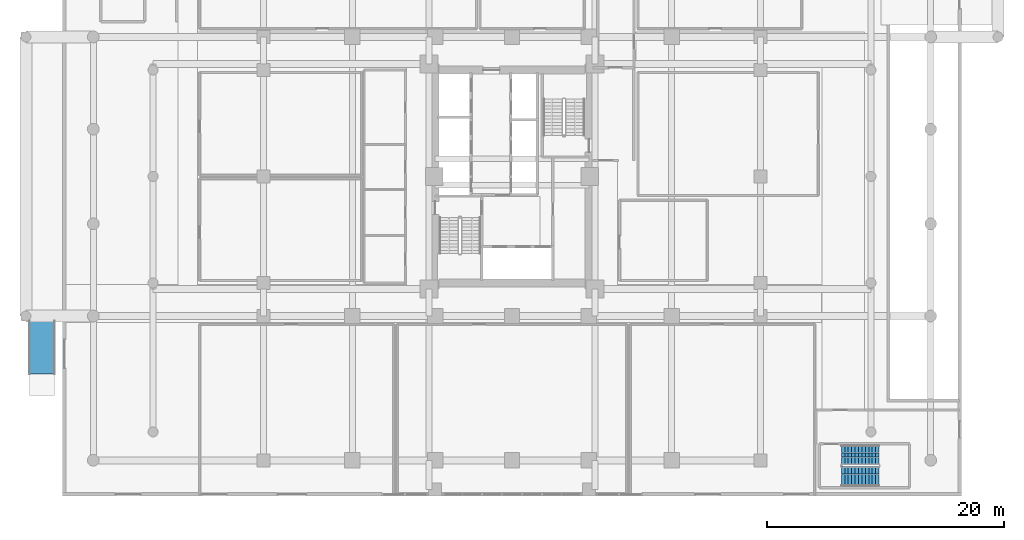
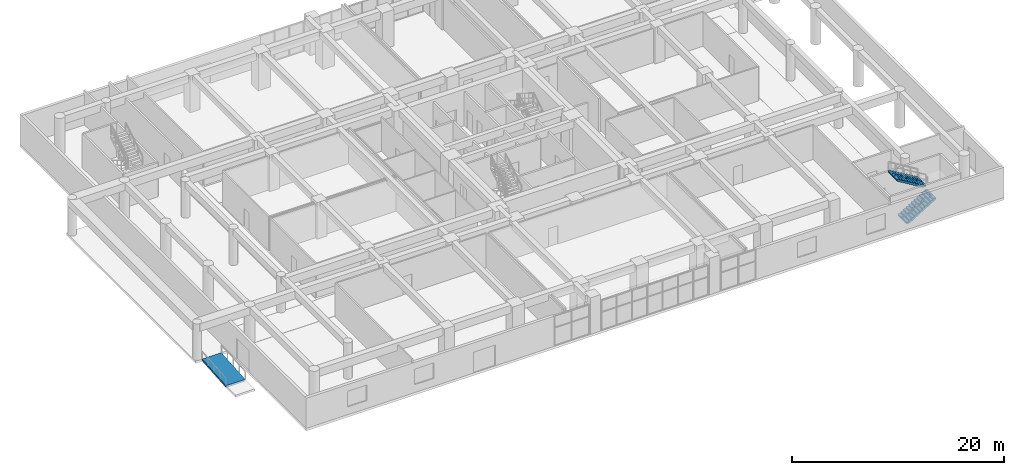
# One storey, part 19 of 24: 2 stair flights, 1 ramp flight, 2 elements without a shape of their own.
"""IFC4 building model written with IfcOpenShell, lengths in metres."""

from ifc_helpers import new_model, si_unit, direction, frame, origin, place, context, subcontext, project, spatial, polyline, outline, extrude, material, layer, layer_set, type_object, element, aggregate, save


model = new_model("IFC4")

# Units and contexts
model_context = context("Model", 3, precision=1e-05, world=origin(), true_north=direction((0.0, 1.0)))
body_context = subcontext(model_context, "Body", "Model", "MODEL_VIEW")
ifc_project = project(units=[si_unit("LENGTHUNIT", "METRE"), si_unit("AREAUNIT", "SQUARE_METRE"), si_unit("VOLUMEUNIT", "CUBIC_METRE"), si_unit("PLANEANGLEUNIT", "RADIAN"), si_unit("MASSUNIT", "GRAM", prefix="KILO")], contexts=[model_context])

# Site, building, storey
site_placement = place(None, origin())
site = spatial("IfcSite", under=ifc_project, at=site_placement, CompositionType="ELEMENT")
building_placement = place(site_placement, origin())
building = spatial("IfcBuilding", under=site, at=building_placement, Name="Saelheon Loggia Tower", CompositionType="ELEMENT")
storey_placement = place(building_placement, origin())
storey = spatial("IfcBuildingStorey", under=building, at=storey_placement, Name="L00", CompositionType="ELEMENT", Elevation=0.0)

# Stair, stair flights
ifc_material = material(Name="Concrete C40/50", Category="concrete")
stair_type = type_object("IfcStairType", Name="Stair_Escape_Podium", PredefinedType="HALF_TURN_STAIR", material=ifc_material)
stair_placement = place(storey_placement, origin())
stair = element("IfcStair", 1, at=stair_placement, inside=storey, type_object=stair_type, Name="L00 Podium Escape Stair ST4", PredefinedType="HALF_TURN_STAIR")
stair_flight_type = type_object("IfcStairFlightType", Name="StairFlight_Podium_1660", PredefinedType="STRAIGHT", material=ifc_material)
stair_flight_1_placement = place(storey_placement, frame((65.85009765625, 1.6298828125, 0.0), z_axis=(0.0, 0.0, 1.0), x_axis=(1.0, 0.0, 0.0)))
stair_flight_1 = element("IfcStairFlight", 2, at=stair_flight_1_placement, type_object=stair_flight_type, Name="ST4 flight 1", NumberOfRisers=12, NumberOfTreads=11, PredefinedType="STRAIGHT", RiserHeight=0.175, TreadLength=0.29, context=body_context, shape_type="SweptSolid", body=[
    extrude(outline(polyline([(0.0, 0.0), (0.0, 0.175048828125), (0.2900390625, 0.175048828125), (0.2900390625, 0.35009765625), (0.580078125, 0.35009765625), (0.580078125, 0.52490234375), (0.8701171875, 0.52490234375), (0.8701171875, 0.699951171875), (1.159912109375, 0.699951171875), (1.159912109375, 0.875), (1.449951171875, 0.875), (1.449951171875, 1.050048828125), (1.739990234375, 1.050048828125), (1.739990234375, 1.22509765625), (2.030029296875, 1.22509765625), (2.030029296875, 1.39990234375), (2.320068359375, 1.39990234375), (2.320068359375, 1.574951171875), (2.610107421875, 1.574951171875), (2.610107421875, 1.75), (2.89990234375, 1.75), (2.89990234375, 1.925048828125), (3.18994140625, 1.925048828125), (3.18994140625, 2.10009765625), (3.18994140625, 1.71484375), (0.34814453125, 0.0), (0.0, 0.0)])), frame((0.0, -0.2490234375, 0.0), z_axis=(0.0, -1.0, 0.0), x_axis=(1.0, 0.0, 0.0)), (0.0, 0.0, 1.0), 0.5810546875),
    extrude(outline(polyline([(0.0, 0.0), (0.0, 0.175048828125), (0.2900390625, 0.175048828125), (0.2900390625, 0.35009765625), (0.580078125, 0.35009765625), (0.580078125, 0.52490234375), (0.8701171875, 0.52490234375), (0.8701171875, 0.699951171875), (1.159912109375, 0.699951171875), (1.159912109375, 0.875), (1.449951171875, 0.875), (1.449951171875, 1.050048828125), (1.739990234375, 1.050048828125), (1.739990234375, 1.22509765625), (2.030029296875, 1.22509765625), (2.030029296875, 1.39990234375), (2.320068359375, 1.39990234375), (2.320068359375, 1.574951171875), (2.610107421875, 1.574951171875), (2.610107421875, 1.75), (2.89990234375, 1.75), (2.89990234375, 1.925048828125), (3.18994140625, 1.925048828125), (3.18994140625, 2.10009765625), (3.18994140625, 1.71484375), (0.34814453125, 0.0), (0.0, 0.0)])), frame((0.0, -0.194091796875, 0.0), z_axis=(0.0, -1.0, 0.0), x_axis=(1.0, 0.0, 0.0)), (0.0, 0.0, 1.0), 0.0498046875),
    extrude(outline(polyline([(0.0, 0.0), (0.0, 0.175048828125), (0.2900390625, 0.175048828125), (0.2900390625, 0.35009765625), (0.580078125, 0.35009765625), (0.580078125, 0.52490234375), (0.8701171875, 0.52490234375), (0.8701171875, 0.699951171875), (1.159912109375, 0.699951171875), (1.159912109375, 0.875), (1.449951171875, 0.875), (1.449951171875, 1.050048828125), (1.739990234375, 1.050048828125), (1.739990234375, 1.22509765625), (2.030029296875, 1.22509765625), (2.030029296875, 1.39990234375), (2.320068359375, 1.39990234375), (2.320068359375, 1.574951171875), (2.610107421875, 1.574951171875), (2.610107421875, 1.75), (2.89990234375, 1.75), (2.89990234375, 1.925048828125), (3.18994140625, 1.925048828125), (3.18994140625, 2.10009765625), (3.18994140625, 1.71484375), (0.34814453125, 0.0), (0.0, 0.0)])), frame((0.0, -0.139404296875, 0.0), z_axis=(0.0, -1.0, 0.0), x_axis=(1.0, 0.0, 0.0)), (0.0, 0.0, 1.0), 0.0498046875),
    extrude(outline(polyline([(0.0, 0.0), (0.0, 0.175048828125), (0.2900390625, 0.175048828125), (0.2900390625, 0.35009765625), (0.580078125, 0.35009765625), (0.580078125, 0.52490234375), (0.8701171875, 0.52490234375), (0.8701171875, 0.699951171875), (1.159912109375, 0.699951171875), (1.159912109375, 0.875), (1.449951171875, 0.875), (1.449951171875, 1.050048828125), (1.739990234375, 1.050048828125), (1.739990234375, 1.22509765625), (2.030029296875, 1.22509765625), (2.030029296875, 1.39990234375), (2.320068359375, 1.39990234375), (2.320068359375, 1.574951171875), (2.610107421875, 1.574951171875), (2.610107421875, 1.75), (2.89990234375, 1.75), (2.89990234375, 1.925048828125), (3.18994140625, 1.925048828125), (3.18994140625, 2.10009765625), (3.18994140625, 1.71484375), (0.34814453125, 0.0), (0.0, 0.0)])), frame((0.0, -0.084716796875, 0.0), z_axis=(0.0, -1.0, 0.0), x_axis=(1.0, 0.0, 0.0)), (0.0, 0.0, 1.0), 0.0498046875),
    extrude(outline(polyline([(0.0, 0.0), (0.0, 0.175048828125), (0.2900390625, 0.175048828125), (0.2900390625, 0.35009765625), (0.580078125, 0.35009765625), (0.580078125, 0.52490234375), (0.8701171875, 0.52490234375), (0.8701171875, 0.699951171875), (1.159912109375, 0.699951171875), (1.159912109375, 0.875), (1.449951171875, 0.875), (1.449951171875, 1.050048828125), (1.739990234375, 1.050048828125), (1.739990234375, 1.22509765625), (2.030029296875, 1.22509765625), (2.030029296875, 1.39990234375), (2.320068359375, 1.39990234375), (2.320068359375, 1.574951171875), (2.610107421875, 1.574951171875), (2.610107421875, 1.75), (2.89990234375, 1.75), (2.89990234375, 1.925048828125), (3.18994140625, 1.925048828125), (3.18994140625, 2.10009765625), (3.18994140625, 1.71484375), (0.34814453125, 0.0), (0.0, 0.0)])), frame((0.0, -0.02978515625, 0.0), z_axis=(0.0, -1.0, 0.0), x_axis=(1.0, 0.0, 0.0)), (0.0, 0.0, 1.0), 0.0498046875),
    extrude(outline(polyline([(0.0, 0.0), (0.0, 0.175048828125), (0.2900390625, 0.175048828125), (0.2900390625, 0.35009765625), (0.580078125, 0.35009765625), (0.580078125, 0.52490234375), (0.8701171875, 0.52490234375), (0.8701171875, 0.699951171875), (1.159912109375, 0.699951171875), (1.159912109375, 0.875), (1.449951171875, 0.875), (1.449951171875, 1.050048828125), (1.739990234375, 1.050048828125), (1.739990234375, 1.22509765625), (2.030029296875, 1.22509765625), (2.030029296875, 1.39990234375), (2.320068359375, 1.39990234375), (2.320068359375, 1.574951171875), (2.610107421875, 1.574951171875), (2.610107421875, 1.75), (2.89990234375, 1.75), (2.89990234375, 1.925048828125), (3.18994140625, 1.925048828125), (3.18994140625, 2.10009765625), (3.18994140625, 1.71484375), (0.34814453125, 0.0), (0.0, 0.0)])), frame((0.0, 0.02490234375, 0.0), z_axis=(0.0, -1.0, 0.0), x_axis=(1.0, 0.0, 0.0)), (0.0, 0.0, 1.0), 0.0498046875),
    extrude(outline(polyline([(0.0, 0.0), (0.0, 0.175048828125), (0.2900390625, 0.175048828125), (0.2900390625, 0.35009765625), (0.580078125, 0.35009765625), (0.580078125, 0.52490234375), (0.8701171875, 0.52490234375), (0.8701171875, 0.699951171875), (1.159912109375, 0.699951171875), (1.159912109375, 0.875), (1.449951171875, 0.875), (1.449951171875, 1.050048828125), (1.739990234375, 1.050048828125), (1.739990234375, 1.22509765625), (2.030029296875, 1.22509765625), (2.030029296875, 1.39990234375), (2.320068359375, 1.39990234375), (2.320068359375, 1.574951171875), (2.610107421875, 1.574951171875), (2.610107421875, 1.75), (2.89990234375, 1.75), (2.89990234375, 1.925048828125), (3.18994140625, 1.925048828125), (3.18994140625, 2.10009765625), (3.18994140625, 1.71484375), (0.34814453125, 0.0), (0.0, 0.0)])), frame((0.0, 0.07958984375, 0.0), z_axis=(0.0, -1.0, 0.0), x_axis=(1.0, 0.0, 0.0)), (0.0, 0.0, 1.0), 0.0498046875),
    extrude(outline(polyline([(0.0, 0.0), (0.0, 0.175048828125), (0.2900390625, 0.175048828125), (0.2900390625, 0.35009765625), (0.580078125, 0.35009765625), (0.580078125, 0.52490234375), (0.8701171875, 0.52490234375), (0.8701171875, 0.699951171875), (1.159912109375, 0.699951171875), (1.159912109375, 0.875), (1.449951171875, 0.875), (1.449951171875, 1.050048828125), (1.739990234375, 1.050048828125), (1.739990234375, 1.22509765625), (2.030029296875, 1.22509765625), (2.030029296875, 1.39990234375), (2.320068359375, 1.39990234375), (2.320068359375, 1.574951171875), (2.610107421875, 1.574951171875), (2.610107421875, 1.75), (2.89990234375, 1.75), (2.89990234375, 1.925048828125), (3.18994140625, 1.925048828125), (3.18994140625, 2.10009765625), (3.18994140625, 1.71484375), (0.34814453125, 0.0), (0.0, 0.0)])), frame((0.0, 0.134521484375, 0.0), z_axis=(0.0, -1.0, 0.0), x_axis=(1.0, 0.0, 0.0)), (0.0, 0.0, 1.0), 0.0498046875),
    extrude(outline(polyline([(0.0, 0.0), (0.0, 0.175048828125), (0.2900390625, 0.175048828125), (0.2900390625, 0.35009765625), (0.580078125, 0.35009765625), (0.580078125, 0.52490234375), (0.8701171875, 0.52490234375), (0.8701171875, 0.699951171875), (1.159912109375, 0.699951171875), (1.159912109375, 0.875), (1.449951171875, 0.875), (1.449951171875, 1.050048828125), (1.739990234375, 1.050048828125), (1.739990234375, 1.22509765625), (2.030029296875, 1.22509765625), (2.030029296875, 1.39990234375), (2.320068359375, 1.39990234375), (2.320068359375, 1.574951171875), (2.610107421875, 1.574951171875), (2.610107421875, 1.75), (2.89990234375, 1.75), (2.89990234375, 1.925048828125), (3.18994140625, 1.925048828125), (3.18994140625, 2.10009765625), (3.18994140625, 1.71484375), (0.34814453125, 0.0), (0.0, 0.0)])), frame((0.0, 0.189208984375, 0.0), z_axis=(0.0, -1.0, 0.0), x_axis=(1.0, 0.0, 0.0)), (0.0, 0.0, 1.0), 0.0498046875),
    extrude(outline(polyline([(0.0, 0.0), (0.0, 0.175048828125), (0.2900390625, 0.175048828125), (0.2900390625, 0.35009765625), (0.580078125, 0.35009765625), (0.580078125, 0.52490234375), (0.8701171875, 0.52490234375), (0.8701171875, 0.699951171875), (1.159912109375, 0.699951171875), (1.159912109375, 0.875), (1.449951171875, 0.875), (1.449951171875, 1.050048828125), (1.739990234375, 1.050048828125), (1.739990234375, 1.22509765625), (2.030029296875, 1.22509765625), (2.030029296875, 1.39990234375), (2.320068359375, 1.39990234375), (2.320068359375, 1.574951171875), (2.610107421875, 1.574951171875), (2.610107421875, 1.75), (2.89990234375, 1.75), (2.89990234375, 1.925048828125), (3.18994140625, 1.925048828125), (3.18994140625, 2.10009765625), (3.18994140625, 1.71484375), (0.34814453125, 0.0), (0.0, 0.0)])), frame((0.0, 0.243896484375, 0.0), z_axis=(0.0, -1.0, 0.0), x_axis=(1.0, 0.0, 0.0)), (0.0, 0.0, 1.0), 0.0498046875),
    extrude(outline(polyline([(0.0, 0.0), (0.0, 0.175048828125), (0.2900390625, 0.175048828125), (0.2900390625, 0.35009765625), (0.580078125, 0.35009765625), (0.580078125, 0.52490234375), (0.8701171875, 0.52490234375), (0.8701171875, 0.699951171875), (1.159912109375, 0.699951171875), (1.159912109375, 0.875), (1.449951171875, 0.875), (1.449951171875, 1.050048828125), (1.739990234375, 1.050048828125), (1.739990234375, 1.22509765625), (2.030029296875, 1.22509765625), (2.030029296875, 1.39990234375), (2.320068359375, 1.39990234375), (2.320068359375, 1.574951171875), (2.610107421875, 1.574951171875), (2.610107421875, 1.75), (2.89990234375, 1.75), (2.89990234375, 1.925048828125), (3.18994140625, 1.925048828125), (3.18994140625, 2.10009765625), (3.18994140625, 1.71484375), (0.34814453125, 0.0), (0.0, 0.0)])), frame((0.0, 0.830078125, 0.0), z_axis=(0.0, -1.0, 0.0), x_axis=(1.0, 0.0, 0.0)), (0.0, 0.0, 1.0), 0.5810546875),
])
stair_flight_2_placement = place(storey_placement, frame((69.0400390625, 3.449951171875, 2.10009765625), z_axis=(0.0, 0.0, 1.0), x_axis=(-1.0, 0.0, 0.0)))
stair_flight_2 = element("IfcStairFlight", 3, at=stair_flight_2_placement, type_object=stair_flight_type, Name="ST4 flight 2", NumberOfRisers=12, NumberOfTreads=11, PredefinedType="STRAIGHT", RiserHeight=0.175, TreadLength=0.29, context=body_context, shape_type="SweptSolid", body=[
    extrude(outline(polyline([(0.0, 0.0), (0.0, 0.175048828125), (0.2900390625, 0.175048828125), (0.2900390625, 0.35009765625), (0.580078125, 0.35009765625), (0.580078125, 0.52490234375), (0.8701171875, 0.52490234375), (0.8701171875, 0.699951171875), (1.159912109375, 0.699951171875), (1.159912109375, 0.875), (1.449951171875, 0.875), (1.449951171875, 1.050048828125), (1.739990234375, 1.050048828125), (1.739990234375, 1.22509765625), (2.030029296875, 1.22509765625), (2.030029296875, 1.39990234375), (2.320068359375, 1.39990234375), (2.320068359375, 1.574951171875), (2.610107421875, 1.574951171875), (2.610107421875, 1.75), (2.89990234375, 1.75), (2.89990234375, 1.925048828125), (3.18994140625, 1.925048828125), (3.18994140625, 2.10009765625), (3.18994140625, 1.71484375), (0.34814453125, 0.0), (0.0, 0.0)])), frame((0.0, -0.2490234375, 0.0), z_axis=(0.0, -1.0, 0.0), x_axis=(1.0, 0.0, 0.0)), (0.0, 0.0, 1.0), 0.5810546875),
    extrude(outline(polyline([(0.0, 0.0), (0.0, 0.175048828125), (0.2900390625, 0.175048828125), (0.2900390625, 0.35009765625), (0.580078125, 0.35009765625), (0.580078125, 0.52490234375), (0.8701171875, 0.52490234375), (0.8701171875, 0.699951171875), (1.159912109375, 0.699951171875), (1.159912109375, 0.875), (1.449951171875, 0.875), (1.449951171875, 1.050048828125), (1.739990234375, 1.050048828125), (1.739990234375, 1.22509765625), (2.030029296875, 1.22509765625), (2.030029296875, 1.39990234375), (2.320068359375, 1.39990234375), (2.320068359375, 1.574951171875), (2.610107421875, 1.574951171875), (2.610107421875, 1.75), (2.89990234375, 1.75), (2.89990234375, 1.925048828125), (3.18994140625, 1.925048828125), (3.18994140625, 2.10009765625), (3.18994140625, 1.71484375), (0.34814453125, 0.0), (0.0, 0.0)])), frame((0.0, -0.194091796875, 0.0), z_axis=(0.0, -1.0, 0.0), x_axis=(1.0, 0.0, 0.0)), (0.0, 0.0, 1.0), 0.0498046875),
    extrude(outline(polyline([(0.0, 0.0), (0.0, 0.175048828125), (0.2900390625, 0.175048828125), (0.2900390625, 0.35009765625), (0.580078125, 0.35009765625), (0.580078125, 0.52490234375), (0.8701171875, 0.52490234375), (0.8701171875, 0.699951171875), (1.159912109375, 0.699951171875), (1.159912109375, 0.875), (1.449951171875, 0.875), (1.449951171875, 1.050048828125), (1.739990234375, 1.050048828125), (1.739990234375, 1.22509765625), (2.030029296875, 1.22509765625), (2.030029296875, 1.39990234375), (2.320068359375, 1.39990234375), (2.320068359375, 1.574951171875), (2.610107421875, 1.574951171875), (2.610107421875, 1.75), (2.89990234375, 1.75), (2.89990234375, 1.925048828125), (3.18994140625, 1.925048828125), (3.18994140625, 2.10009765625), (3.18994140625, 1.71484375), (0.34814453125, 0.0), (0.0, 0.0)])), frame((0.0, -0.139404296875, 0.0), z_axis=(0.0, -1.0, 0.0), x_axis=(1.0, 0.0, 0.0)), (0.0, 0.0, 1.0), 0.0498046875),
    extrude(outline(polyline([(0.0, 0.0), (0.0, 0.175048828125), (0.2900390625, 0.175048828125), (0.2900390625, 0.35009765625), (0.580078125, 0.35009765625), (0.580078125, 0.52490234375), (0.8701171875, 0.52490234375), (0.8701171875, 0.699951171875), (1.159912109375, 0.699951171875), (1.159912109375, 0.875), (1.449951171875, 0.875), (1.449951171875, 1.050048828125), (1.739990234375, 1.050048828125), (1.739990234375, 1.22509765625), (2.030029296875, 1.22509765625), (2.030029296875, 1.39990234375), (2.320068359375, 1.39990234375), (2.320068359375, 1.574951171875), (2.610107421875, 1.574951171875), (2.610107421875, 1.75), (2.89990234375, 1.75), (2.89990234375, 1.925048828125), (3.18994140625, 1.925048828125), (3.18994140625, 2.10009765625), (3.18994140625, 1.71484375), (0.34814453125, 0.0), (0.0, 0.0)])), frame((0.0, -0.084716796875, 0.0), z_axis=(0.0, -1.0, 0.0), x_axis=(1.0, 0.0, 0.0)), (0.0, 0.0, 1.0), 0.0498046875),
    extrude(outline(polyline([(0.0, 0.0), (0.0, 0.175048828125), (0.2900390625, 0.175048828125), (0.2900390625, 0.35009765625), (0.580078125, 0.35009765625), (0.580078125, 0.52490234375), (0.8701171875, 0.52490234375), (0.8701171875, 0.699951171875), (1.159912109375, 0.699951171875), (1.159912109375, 0.875), (1.449951171875, 0.875), (1.449951171875, 1.050048828125), (1.739990234375, 1.050048828125), (1.739990234375, 1.22509765625), (2.030029296875, 1.22509765625), (2.030029296875, 1.39990234375), (2.320068359375, 1.39990234375), (2.320068359375, 1.574951171875), (2.610107421875, 1.574951171875), (2.610107421875, 1.75), (2.89990234375, 1.75), (2.89990234375, 1.925048828125), (3.18994140625, 1.925048828125), (3.18994140625, 2.10009765625), (3.18994140625, 1.71484375), (0.34814453125, 0.0), (0.0, 0.0)])), frame((0.0, -0.02978515625, 0.0), z_axis=(0.0, -1.0, 0.0), x_axis=(1.0, 0.0, 0.0)), (0.0, 0.0, 1.0), 0.0498046875),
    extrude(outline(polyline([(0.0, 0.0), (0.0, 0.175048828125), (0.2900390625, 0.175048828125), (0.2900390625, 0.35009765625), (0.580078125, 0.35009765625), (0.580078125, 0.52490234375), (0.8701171875, 0.52490234375), (0.8701171875, 0.699951171875), (1.159912109375, 0.699951171875), (1.159912109375, 0.875), (1.449951171875, 0.875), (1.449951171875, 1.050048828125), (1.739990234375, 1.050048828125), (1.739990234375, 1.22509765625), (2.030029296875, 1.22509765625), (2.030029296875, 1.39990234375), (2.320068359375, 1.39990234375), (2.320068359375, 1.574951171875), (2.610107421875, 1.574951171875), (2.610107421875, 1.75), (2.89990234375, 1.75), (2.89990234375, 1.925048828125), (3.18994140625, 1.925048828125), (3.18994140625, 2.10009765625), (3.18994140625, 1.71484375), (0.34814453125, 0.0), (0.0, 0.0)])), frame((0.0, 0.02490234375, 0.0), z_axis=(0.0, -1.0, 0.0), x_axis=(1.0, 0.0, 0.0)), (0.0, 0.0, 1.0), 0.0498046875),
    extrude(outline(polyline([(0.0, 0.0), (0.0, 0.175048828125), (0.2900390625, 0.175048828125), (0.2900390625, 0.35009765625), (0.580078125, 0.35009765625), (0.580078125, 0.52490234375), (0.8701171875, 0.52490234375), (0.8701171875, 0.699951171875), (1.159912109375, 0.699951171875), (1.159912109375, 0.875), (1.449951171875, 0.875), (1.449951171875, 1.050048828125), (1.739990234375, 1.050048828125), (1.739990234375, 1.22509765625), (2.030029296875, 1.22509765625), (2.030029296875, 1.39990234375), (2.320068359375, 1.39990234375), (2.320068359375, 1.574951171875), (2.610107421875, 1.574951171875), (2.610107421875, 1.75), (2.89990234375, 1.75), (2.89990234375, 1.925048828125), (3.18994140625, 1.925048828125), (3.18994140625, 2.10009765625), (3.18994140625, 1.71484375), (0.34814453125, 0.0), (0.0, 0.0)])), frame((0.0, 0.07958984375, 0.0), z_axis=(0.0, -1.0, 0.0), x_axis=(1.0, 0.0, 0.0)), (0.0, 0.0, 1.0), 0.0498046875),
    extrude(outline(polyline([(0.0, 0.0), (0.0, 0.175048828125), (0.2900390625, 0.175048828125), (0.2900390625, 0.35009765625), (0.580078125, 0.35009765625), (0.580078125, 0.52490234375), (0.8701171875, 0.52490234375), (0.8701171875, 0.699951171875), (1.159912109375, 0.699951171875), (1.159912109375, 0.875), (1.449951171875, 0.875), (1.449951171875, 1.050048828125), (1.739990234375, 1.050048828125), (1.739990234375, 1.22509765625), (2.030029296875, 1.22509765625), (2.030029296875, 1.39990234375), (2.320068359375, 1.39990234375), (2.320068359375, 1.574951171875), (2.610107421875, 1.574951171875), (2.610107421875, 1.75), (2.89990234375, 1.75), (2.89990234375, 1.925048828125), (3.18994140625, 1.925048828125), (3.18994140625, 2.10009765625), (3.18994140625, 1.71484375), (0.34814453125, 0.0), (0.0, 0.0)])), frame((0.0, 0.134521484375, 0.0), z_axis=(0.0, -1.0, 0.0), x_axis=(1.0, 0.0, 0.0)), (0.0, 0.0, 1.0), 0.0498046875),
    extrude(outline(polyline([(0.0, 0.0), (0.0, 0.175048828125), (0.2900390625, 0.175048828125), (0.2900390625, 0.35009765625), (0.580078125, 0.35009765625), (0.580078125, 0.52490234375), (0.8701171875, 0.52490234375), (0.8701171875, 0.699951171875), (1.159912109375, 0.699951171875), (1.159912109375, 0.875), (1.449951171875, 0.875), (1.449951171875, 1.050048828125), (1.739990234375, 1.050048828125), (1.739990234375, 1.22509765625), (2.030029296875, 1.22509765625), (2.030029296875, 1.39990234375), (2.320068359375, 1.39990234375), (2.320068359375, 1.574951171875), (2.610107421875, 1.574951171875), (2.610107421875, 1.75), (2.89990234375, 1.75), (2.89990234375, 1.925048828125), (3.18994140625, 1.925048828125), (3.18994140625, 2.10009765625), (3.18994140625, 1.71484375), (0.34814453125, 0.0), (0.0, 0.0)])), frame((0.0, 0.189208984375, 0.0), z_axis=(0.0, -1.0, 0.0), x_axis=(1.0, 0.0, 0.0)), (0.0, 0.0, 1.0), 0.0498046875),
    extrude(outline(polyline([(0.0, 0.0), (0.0, 0.175048828125), (0.2900390625, 0.175048828125), (0.2900390625, 0.35009765625), (0.580078125, 0.35009765625), (0.580078125, 0.52490234375), (0.8701171875, 0.52490234375), (0.8701171875, 0.699951171875), (1.159912109375, 0.699951171875), (1.159912109375, 0.875), (1.449951171875, 0.875), (1.449951171875, 1.050048828125), (1.739990234375, 1.050048828125), (1.739990234375, 1.22509765625), (2.030029296875, 1.22509765625), (2.030029296875, 1.39990234375), (2.320068359375, 1.39990234375), (2.320068359375, 1.574951171875), (2.610107421875, 1.574951171875), (2.610107421875, 1.75), (2.89990234375, 1.75), (2.89990234375, 1.925048828125), (3.18994140625, 1.925048828125), (3.18994140625, 2.10009765625), (3.18994140625, 1.71484375), (0.34814453125, 0.0), (0.0, 0.0)])), frame((0.0, 0.243896484375, 0.0), z_axis=(0.0, -1.0, 0.0), x_axis=(1.0, 0.0, 0.0)), (0.0, 0.0, 1.0), 0.0498046875),
    extrude(outline(polyline([(0.0, 0.0), (0.0, 0.175048828125), (0.2900390625, 0.175048828125), (0.2900390625, 0.35009765625), (0.580078125, 0.35009765625), (0.580078125, 0.52490234375), (0.8701171875, 0.52490234375), (0.8701171875, 0.699951171875), (1.159912109375, 0.699951171875), (1.159912109375, 0.875), (1.449951171875, 0.875), (1.449951171875, 1.050048828125), (1.739990234375, 1.050048828125), (1.739990234375, 1.22509765625), (2.030029296875, 1.22509765625), (2.030029296875, 1.39990234375), (2.320068359375, 1.39990234375), (2.320068359375, 1.574951171875), (2.610107421875, 1.574951171875), (2.610107421875, 1.75), (2.89990234375, 1.75), (2.89990234375, 1.925048828125), (3.18994140625, 1.925048828125), (3.18994140625, 2.10009765625), (3.18994140625, 1.71484375), (0.34814453125, 0.0), (0.0, 0.0)])), frame((0.0, 0.830078125, 0.0), z_axis=(0.0, -1.0, 0.0), x_axis=(1.0, 0.0, 0.0)), (0.0, 0.0, 1.0), 0.5810546875),
])
aggregate(stair, [stair_flight_1, stair_flight_2])

# Ramp, ramp flight
ifc_layer_1 = layer(ifc_material, 0.219970703125)
ifc_layer_set_1 = layer_set([ifc_layer_1], Name="Concrete C40/50")
ramp_type = type_object("IfcRampType", Name="Ramp_Pedestrian_Entry", PredefinedType="STRAIGHT_RUN_RAMP", material=ifc_layer_set_1)
ramp_placement = place(storey_placement, origin())
ramp = element("IfcRamp", 4, at=ramp_placement, inside=storey, type_object=ramp_type, Name="West Clinic Barrier-Free Entrance Ramp", PredefinedType="STRAIGHT_RUN_RAMP")
ifc_layer_2 = layer(ifc_material, 0.219970703125)
ifc_layer_set_2 = layer_set([ifc_layer_2], Name="Concrete C40/50")
ramp_flight_type = type_object("IfcRampFlightType", Name="RampFlight_Pedestrian_2100", PredefinedType="STRAIGHT", material=ifc_layer_set_2)
ramp_flight_placement = place(storey_placement, frame((-1.75, 10.300048828125, -0.35009765625), z_axis=(0.0, 0.0, 1.0), x_axis=(0.0, 1.0, 0.0)))
ramp_flight = element("IfcRampFlight", 5, at=ramp_flight_placement, type_object=ramp_flight_type, Name="Barrier-Free Entrance Ramp Flight", PredefinedType="STRAIGHT", context=body_context, shape_type="SweptSolid", body=[
    extrude(outline(polyline([(0.0, 0.0), (4.5, 0.35009765625), (4.5, 0.130126953125), (0.0, -0.219970703125), (0.0, 0.0)])), frame((0.0, 1.050048828125, 0.0), z_axis=(0.0, -1.0, 0.0), x_axis=(1.0, 0.0, 0.0)), (0.0, 0.0, 1.0), 2.10009765625),
])
aggregate(ramp, [ramp_flight])

save(model, "model.ifc")
